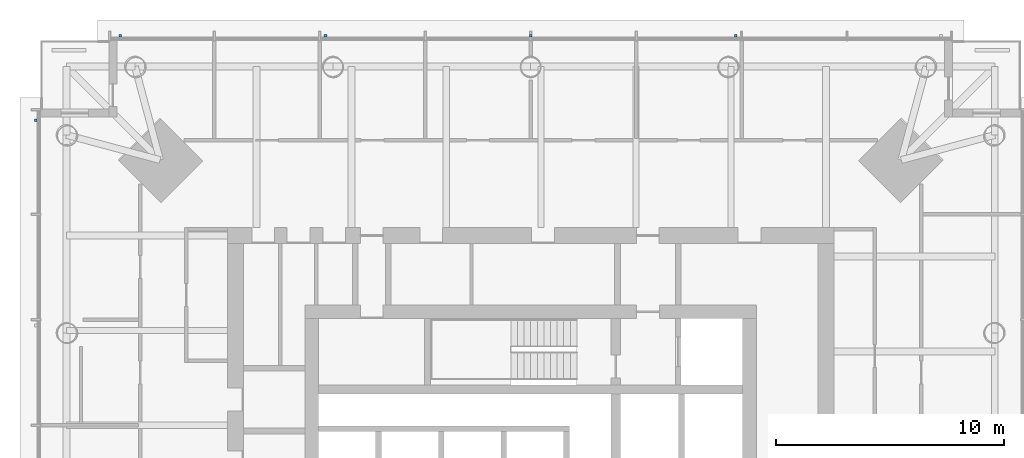
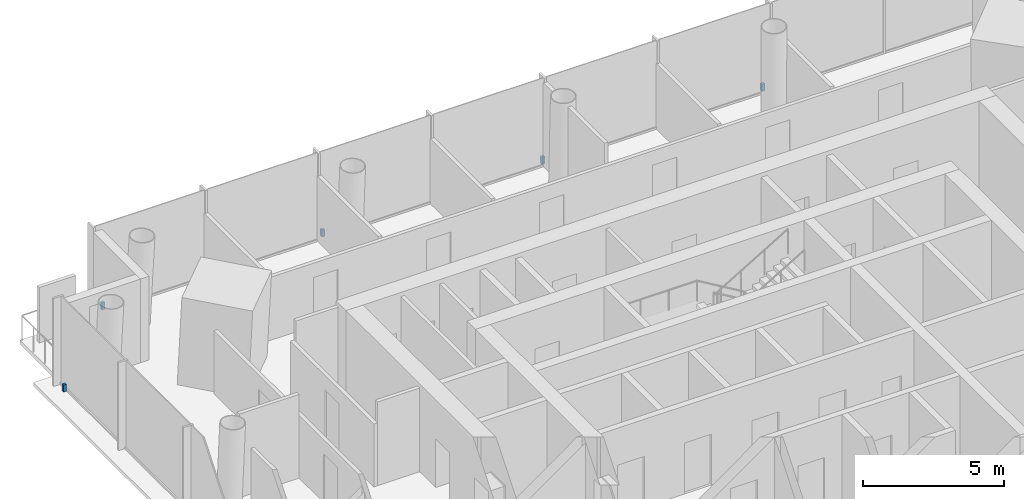
# One storey, part 12 of 16: 5 discrete accessories.
"""IFC4 building model written with IfcOpenShell, lengths in metres."""

from ifc_helpers import new_model, si_unit, direction, frame, origin, origin_2d, place, context, subcontext, project, spatial, rectangle, extrude, material, type_object, element, save


model = new_model("IFC4")

# Units and contexts
model_context = context("Model", 3, precision=1e-05, world=origin(), true_north=direction((0.0, 1.0)))
body_context = subcontext(model_context, "Body", "Model", "MODEL_VIEW")
ifc_project = project(units=[si_unit("LENGTHUNIT", "METRE"), si_unit("AREAUNIT", "SQUARE_METRE"), si_unit("VOLUMEUNIT", "CUBIC_METRE"), si_unit("PLANEANGLEUNIT", "RADIAN"), si_unit("MASSUNIT", "GRAM", prefix="KILO")], contexts=[model_context])

# Site, building, storey
site_placement = place(None, origin())
site = spatial("IfcSite", under=ifc_project, at=site_placement, CompositionType="ELEMENT")
building_placement = place(site_placement, origin())
building = spatial("IfcBuilding", under=site, at=building_placement, Name="Ostroluk Exchange", CompositionType="ELEMENT")
storey_placement = place(building_placement, frame((0.0, 0.0, 135.0)))
storey = spatial("IfcBuildingStorey", under=building, at=storey_placement, Name="L34", CompositionType="ELEMENT", Elevation=135.0)

# Discrete accessories
ifc_material = material(Name="Stainless steel", Category="steel")
discrete_accessory_type = type_object("IfcDiscreteAccessoryType", Name="Fall-arrest anchor PN-EN 795 type C", PredefinedType="USERDEFINED", material=ifc_material)
for number, where, z_axis, x_axis, name in (
    (1, (27.0, 67.7099609375, 0.0), (0.0, 0.0, 1.0), (1.0, 0.0, 0.0), "Fall-arrest anchor L34 north 1"),
    (2, (36.0, 67.7099609375, 0.0), (0.0, 0.0, 1.0), (1.0, 0.0, 0.0), "Fall-arrest anchor L34 north 2"),
    (3, (45.0, 67.7099609375, 0.0), (0.0, 0.0, 1.0), (1.0, 0.0, 0.0), "Fall-arrest anchor L34 north 3"),
    (4, (54.0, 67.7099609375, 0.0), (0.0, 0.0, 1.0), (1.0, 0.0, 0.0), "Fall-arrest anchor L34 north 4"),
    (5, (23.2900390625, 64.0, 0.0), (0.0, 0.0, 1.0), (1.0, 0.0, 0.0), "Fall-arrest anchor L34 west 5"),
):
    element("IfcDiscreteAccessory", number, at=place(storey_placement, frame(where, z_axis=z_axis, x_axis=x_axis)), inside=storey, type_object=discrete_accessory_type, Name=name, ObjectType="FALL ARREST ANCHOR", PredefinedType="USERDEFINED", context=body_context, shape_type="SweptSolid", body=[
        extrude(rectangle(XDim=0.1201171875, YDim=0.1201171875, at=origin_2d()), origin(), (0.0, 0.0, 1.0), 0.300048828125),
    ])

save(model, "model.ifc")
